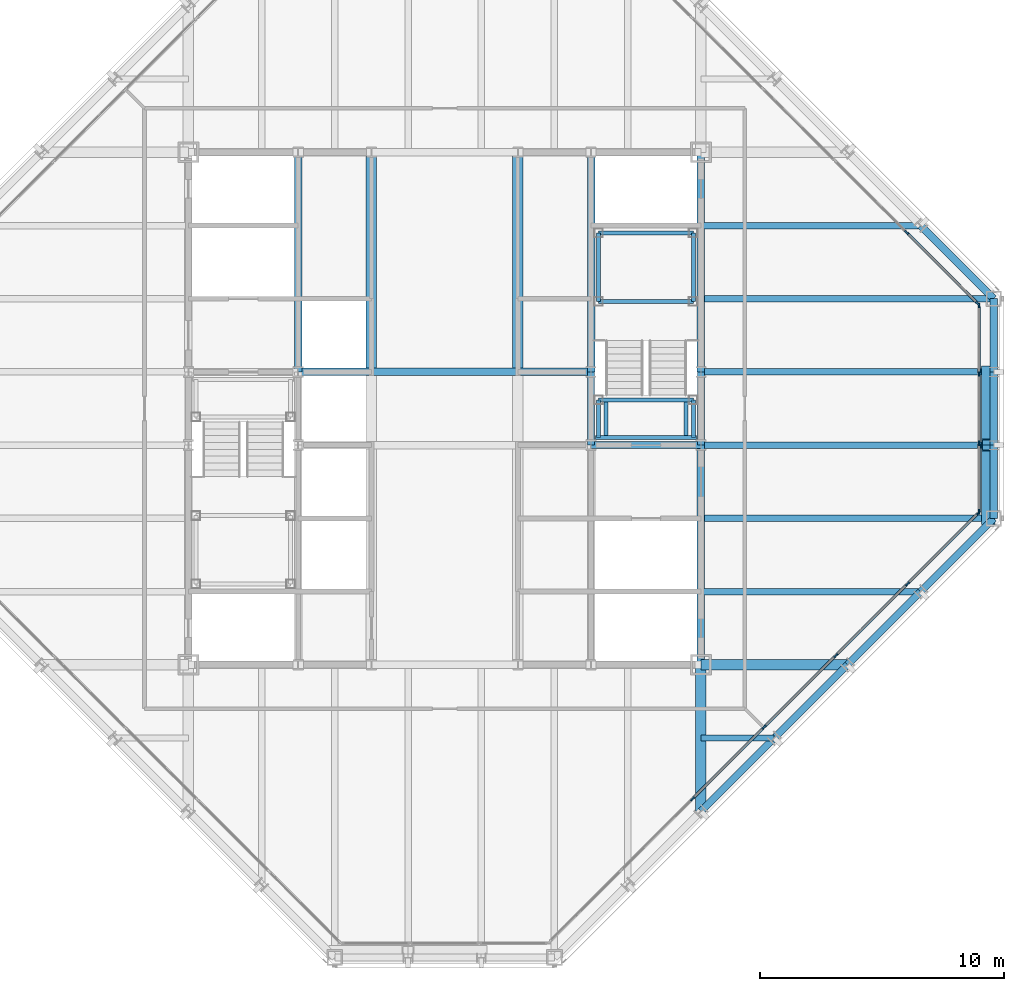
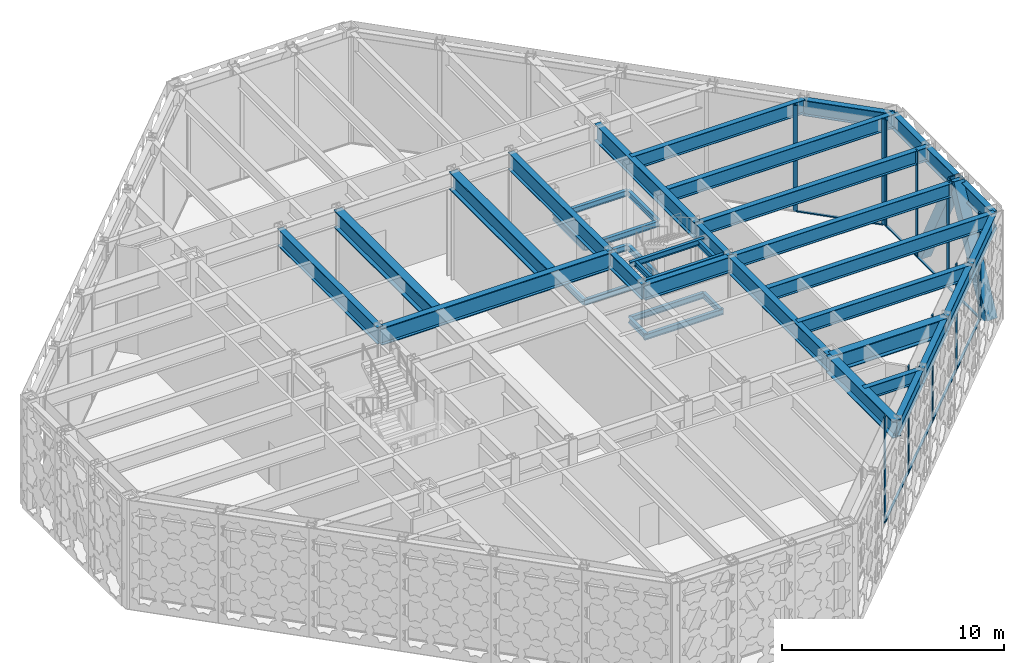
# One storey, part 7 of 28: 43 beams, 21 members, 3 elements without a shape of their own.
"""IFC4 building model written with IfcOpenShell, lengths in metres."""

import ifcopenshell
import ifcopenshell.guid

model = None  # the IFC model being written
_history = None  # IfcOwnerHistory: only IFC2X3 demands one
_inside = {}  # id of a spatial element -> (the spatial element, [elements in it])
_under = {}  # id of a project, library or spatial element -> (it, [spatial elements below it])
_declared = {}  # id of a project -> (the project, [libraries it declares])
_typed = {}  # id of a type object -> (the type object, [elements of that type])
_made_of = {}  # id of a material, layer set ... -> (it, [elements and type objects made of it])


def new_model(schema):
    """Start an empty IFC model of exactly this schema.

    Asked for "IFC4X3", IfcOpenShell would pick the latest addendum, in which some entities
    have other attributes; the version numbers below select the first issue.
    IFC2X3 requires an IfcOwnerHistory on every rooted entity: one is made here for all.
    """
    global model, _history
    if schema == "IFC4X3":
        model = ifcopenshell.file(schema_version=(4, 3, 0, 0))
    else:
        model = ifcopenshell.file(schema=schema)
    _inside.clear()
    _under.clear()
    _declared.clear()
    _typed.clear()
    _made_of.clear()
    _history = None
    if model.schema == "IFC2X3":
        org = make("IfcOrganization", Name="unknown")
        user = make(
            "IfcPersonAndOrganization",
            ThePerson=make("IfcPerson", FamilyName="unknown"),
            TheOrganization=org,
        )
        app = make(
            "IfcApplication",
            ApplicationDeveloper=org,
            Version="unknown",
            ApplicationFullName="unknown",
            ApplicationIdentifier="unknown",
        )
        _history = make(
            "IfcOwnerHistory",
            OwningUser=user,
            OwningApplication=app,
            ChangeAction="ADDED",
            CreationDate=0,
        )
    return model


def make(cls, **values):
    """One entity of the class cls with the attributes given. An attribute that is None is left unset."""
    return model.create_entity(
        cls, **{name: value for name, value in values.items() if value is not None}
    )


def rooted(cls, **values):
    """An entity with a GlobalId (a new one), such as an element, a storey or a relation."""
    return make(cls, GlobalId=ifcopenshell.guid.new(), OwnerHistory=_history, **values)


def si_unit(unit_type, name, prefix=None):
    """IfcSIUnit, for example si_unit("LENGTHUNIT", "METRE", prefix="MILLI")."""
    return make("IfcSIUnit", UnitType=unit_type, Prefix=prefix, Name=name)


def assignment(units):
    """IfcUnitAssignment: the units of a project."""
    return None if units is None else make("IfcUnitAssignment", Units=units)


def point(xyz):
    """IfcCartesianPoint."""
    return None if xyz is None else make("IfcCartesianPoint", Coordinates=xyz)


def direction(xyz):
    """IfcDirection."""
    return None if xyz is None else make("IfcDirection", DirectionRatios=xyz)


def frame(location, z_axis=None, x_axis=None):
    """IfcAxis2Placement3D, a coordinate frame: its origin and axes. An axis left out is left unset."""
    return make(
        "IfcAxis2Placement3D",
        Location=point(location),
        Axis=direction(z_axis),
        RefDirection=direction(x_axis),
    )


def frame_2d(location, x_axis=None):
    """IfcAxis2Placement2D, a coordinate frame in the plane: its origin and x axis."""
    return make(
        "IfcAxis2Placement2D", Location=point(location), RefDirection=direction(x_axis)
    )


def origin():
    """The frame at (0, 0, 0) with its axes left unset."""
    return frame((0.0, 0.0, 0.0))


def origin_2d():
    """The frame at (0, 0) in the plane with its x axis left unset."""
    return frame_2d((0.0, 0.0))


def place(relative_to, where):
    """IfcLocalPlacement: puts the frame where relative to a parent placement (None: the world)."""
    return make(
        "IfcLocalPlacement", PlacementRelTo=relative_to, RelativePlacement=where
    )


def context(
    kind, dimensions, precision=None, world=None, true_north=None, identifier=None
):
    """IfcGeometricRepresentationContext, for example the 3D "Model" context."""
    return make(
        "IfcGeometricRepresentationContext",
        ContextIdentifier=identifier,
        ContextType=kind,
        CoordinateSpaceDimension=dimensions,
        Precision=precision,
        WorldCoordinateSystem=world,
        TrueNorth=true_north,
    )


def subcontext(parent, identifier, kind, view, scale=None):
    """IfcGeometricRepresentationSubContext, for example "Body" below "Model"."""
    return make(
        "IfcGeometricRepresentationSubContext",
        ContextIdentifier=identifier,
        ContextType=kind,
        ParentContext=parent,
        TargetScale=scale,
        TargetView=view,
    )


def project(units=None, contexts=None):
    """IfcProject with its units and contexts."""
    return rooted(
        "IfcProject",
        Name="project",
        RepresentationContexts=contexts,
        UnitsInContext=assignment(units),
    )


def spatial(cls, under=None, at=None, **own):
    """A site, building, storey or space (cls), placed at a placement, below another one or the project."""
    s = rooted(cls, ObjectPlacement=at, **own)
    if under is not None:
        _under.setdefault(under.id(), (under, []))[1].append(s)
    return s


def profile(cls, at=None, kind="AREA", **sizes):
    """A parametric profile (cls). Its sizes go by their IFC names, for example OverallWidth=200.0."""
    return make(cls, ProfileType=kind, Position=at, **sizes)


def rectangle(**sizes):
    """IfcRectangleProfileDef."""
    return profile("IfcRectangleProfileDef", **sizes)


def hollow_rectangle(**sizes):
    """IfcRectangleHollowProfileDef."""
    return profile("IfcRectangleHollowProfileDef", **sizes)


def i_section(**sizes):
    """IfcIShapeProfileDef."""
    return profile("IfcIShapeProfileDef", **sizes)


def extrude(swept, where, along, depth):
    """IfcExtrudedAreaSolid: the profile swept, set in the frame where, extruded along a direction by depth."""
    return make(
        "IfcExtrudedAreaSolid",
        SweptArea=swept,
        Position=where,
        ExtrudedDirection=direction(along),
        Depth=depth,
    )


def shape(context_of_items, identifier, shape_type, items):
    """IfcShapeRepresentation: the items that make up one representation, for example the "Body"."""
    return make(
        "IfcShapeRepresentation",
        ContextOfItems=context_of_items,
        RepresentationIdentifier=identifier,
        RepresentationType=shape_type,
        Items=items,
    )


def material(Name=None, Category=None):
    """IfcMaterial."""
    return make("IfcMaterial", Name=Name, Category=Category)


def layer(
    of_material, thickness, ventilated=None, Name=None, Category=None, Priority=None
):
    """IfcMaterialLayer: one layer of a wall or slab, of a material (None: an air gap)."""
    return make(
        "IfcMaterialLayer",
        Material=of_material,
        LayerThickness=thickness,
        IsVentilated=ventilated,
        Name=Name,
        Category=Category,
        Priority=Priority,
    )


def layer_set(layers, Name=None):
    """IfcMaterialLayerSet."""
    return make("IfcMaterialLayerSet", MaterialLayers=layers, LayerSetName=Name)


def material_profile(
    of_material, cross_section, Name=None, Category=None, Priority=None
):
    """IfcMaterialProfile: a cross section and its material."""
    return make(
        "IfcMaterialProfile",
        Name=Name,
        Material=of_material,
        Profile=cross_section,
        Priority=Priority,
        Category=Category,
    )


def profile_set(profiles, Name=None, composite=None):
    """IfcMaterialProfileSet."""
    return make(
        "IfcMaterialProfileSet",
        Name=Name,
        MaterialProfiles=profiles,
        CompositeProfile=composite,
    )


def made_of(thing, what):
    """Note that an element or type object is made of a material, layer set ...; save() writes the relation."""
    if what is not None:
        _made_of.setdefault(what.id(), (what, []))[1].append(thing)
    return thing


def type_object(cls, material=None, **own):
    """A type object (cls), such as IfcWallType, which elements share."""
    return made_of(rooted(cls, **own), material)


def element(
    cls,
    number,
    at=None,
    inside=None,
    cuts=None,
    type_object=None,
    material=None,
    context=None,
    identifier="Body",
    shape_type=None,
    held_by="IfcProductDefinitionShape",
    body=None,
    shapes=None,
    **own,
):
    """One element of the class cls, such as IfcWall. Its Tag is "e" and its number.

    at: its placement. inside: the storey or other place that contains it. cuts: it is an
    opening in that element (IfcRelVoidsElement). A single representation is given by context,
    identifier, shape_type and body (its items); several are given by shapes. held_by: the class
    of the entity that holds the representations. save() writes the other relations.
    """
    e = rooted(cls, Tag="e%d" % number, ObjectPlacement=at, **own)
    if body is not None:
        shapes = [shape(context, identifier, shape_type, body)]
    if shapes is not None:
        e.Representation = make(held_by, Representations=shapes)
    if inside is not None:
        _inside.setdefault(inside.id(), (inside, []))[1].append(e)
    if cuts is not None:
        rooted(
            "IfcRelVoidsElement", RelatingBuildingElement=cuts, RelatedOpeningElement=e
        )
    if type_object is not None:
        _typed.setdefault(type_object.id(), (type_object, []))[1].append(e)
    return made_of(e, material)


def aggregate(whole, parts):
    """IfcRelAggregates: a whole, such as a stair, and the parts it consists of."""
    return rooted("IfcRelAggregates", RelatingObject=whole, RelatedObjects=parts)


def save(model, path):
    """Write the relations noted so far, then the file.

    IfcRelAggregates (storeys below a building ...), IfcRelContainedInSpatialStructure (elements
    in a storey), IfcRelDefinesByType, IfcRelAssociatesMaterial and IfcRelDeclares: one each for
    every whole, place, type object, material and project.
    """
    for whole, parts in _under.values():
        aggregate(whole, parts)
    for where, things in _inside.values():
        rooted(
            "IfcRelContainedInSpatialStructure",
            RelatedElements=things,
            RelatingStructure=where,
        )
    for kind, things in _typed.values():
        rooted("IfcRelDefinesByType", RelatedObjects=things, RelatingType=kind)
    for what, things in _made_of.values():
        rooted("IfcRelAssociatesMaterial", RelatedObjects=things, RelatingMaterial=what)
    for by, libraries in _declared.values():
        rooted("IfcRelDeclares", RelatingContext=by, RelatedDefinitions=libraries)
    model.write(path)


model = new_model("IFC4")

# Units and contexts
model_context = context("Model", 3, precision=1e-05, world=origin(), true_north=direction((0.0, 1.0)))
body_context = subcontext(model_context, "Body", "Model", "MODEL_VIEW")
ifc_project = project(units=[si_unit("LENGTHUNIT", "METRE"), si_unit("AREAUNIT", "SQUARE_METRE"), si_unit("VOLUMEUNIT", "CUBIC_METRE"), si_unit("PLANEANGLEUNIT", "RADIAN"), si_unit("MASSUNIT", "GRAM", prefix="KILO")], contexts=[model_context])

# Site, building, storey
site_placement = place(None, origin())
site = spatial("IfcSite", under=ifc_project, at=site_placement, CompositionType="ELEMENT")
building_placement = place(site_placement, origin())
building = spatial("IfcBuilding", under=site, at=building_placement, Name="Chuquiago Exchange Tower", CompositionType="ELEMENT")
storey_placement = place(building_placement, frame((0.0, 0.0, 300.0)))
storey = spatial("IfcBuildingStorey", under=building, at=storey_placement, Name="L67", CompositionType="ELEMENT", Elevation=300.0)

# Beams
ifc_material_1 = material(Name="Steel ASTM A992", Category="steel")
ifc_material_profile_1 = material_profile(ifc_material_1, i_section(OverallWidth=0.307373046875, OverallDepth=0.927001953125, WebThickness=0.01953125, FlangeThickness=0.031982421875, at=origin_2d()), Name="W36X194")
ifc_profile_set_1 = profile_set([ifc_material_profile_1], Name="Steel ASTM A992")
beam_type_1 = type_object("IfcBeamType", Name="B10 W36X194", PredefinedType="BEAM", material=ifc_profile_set_1)
for number, where, z_axis, x_axis, name in (
    (1, (16.5, 24.0, 5.37646484375), (0.0, 1.0, 0.0), (-1.0, 0.0, 0.0), "CB-L68-16.5_24-16.5_33"),
    (2, (28.5, 24.0, 5.37646484375), (0.0, 1.0, 0.0), (-1.0, 0.0, 0.0), "CB-L68-28.5_24-28.5_33"),
    (3, (33.0, 12.0, 5.37646484375), (0.0, 1.0, 0.0), (-1.0, 0.0, 0.0), "CB-L68-33_12-33_21"),
    (4, (33.0, 24.0, 5.37646484375), (0.0, 1.0, 0.0), (-1.0, 0.0, 0.0), "CB-L68-33_24-33_33"),
):
    element("IfcBeam", number, at=place(storey_placement, frame(where, z_axis=z_axis, x_axis=x_axis)), inside=storey, type_object=beam_type_1, Name=name, PredefinedType="BEAM", context=body_context, shape_type="SweptSolid", body=[
        extrude(i_section(OverallWidth=0.307373046875, OverallDepth=0.927001953125, WebThickness=0.01953125, FlangeThickness=0.031982421875, at=origin_2d()), origin(), (0.0, 0.0, 1.0), 9.0),
    ])
ifc_material_2 = material(Name="Steel ASTM A992", Category="steel")
ifc_material_profile_2 = material_profile(ifc_material_2, i_section(OverallWidth=0.309814453125, OverallDepth=0.949951171875, WebThickness=0.0244140625, FlangeThickness=0.0439453125, at=origin_2d()), Name="W36X256")
ifc_profile_set_2 = profile_set([ifc_material_profile_2], Name="Steel ASTM A992")
beam_type_2 = type_object("IfcBeamType", Name="B11 W36X256", PredefinedType="BEAM", material=ifc_profile_set_2)
beam_1_placement = place(storey_placement, frame((16.5, 24.0, 5.364990234375), z_axis=(1.0, 0.0, 0.0), x_axis=(0.0, 1.0, 0.0)))
element("IfcBeam", 5, at=beam_1_placement, inside=storey, type_object=beam_type_2, Name="CB-L68-16.5_24-28.5_24", PredefinedType="BEAM", context=body_context, shape_type="SweptSolid", body=[
    extrude(i_section(OverallWidth=0.309814453125, OverallDepth=0.949951171875, WebThickness=0.0244140625, FlangeThickness=0.0439453125, at=origin_2d()), origin(), (0.0, 0.0, 1.0), 12.0),
])
ifc_material_3 = material(Name="Steel ASTM A992", Category="steel")
ifc_material_profile_3 = material_profile(ifc_material_3, i_section(OverallWidth=0.4267578125, OverallDepth=0.975341796875, WebThickness=0.031005859375, FlangeThickness=0.055908203125, at=origin_2d()), Name="W36X395")
ifc_profile_set_3 = profile_set([ifc_material_profile_3], Name="Steel ASTM A992")
beam_type_3 = type_object("IfcBeamType", Name="B12 W36X395", PredefinedType="BEAM", material=ifc_profile_set_3)
for number, where, z_axis, x_axis, name in (
    (6, (19.5, 24.15478515625, 5.352294921875), (0.0, 1.0, 0.0), (-1.0, 0.0, 0.0), "CB-L68-19.5_24.1549-19.5_33"),
    (7, (25.5, 24.15478515625, 5.352294921875), (0.0, 1.0, 0.0), (-1.0, 0.0, 0.0), "CB-L68-25.5_24.1549-25.5_33"),
):
    element("IfcBeam", number, at=place(storey_placement, frame(where, z_axis=z_axis, x_axis=x_axis)), inside=storey, type_object=beam_type_3, Name=name, PredefinedType="BEAM", context=body_context, shape_type="SweptSolid", body=[
        extrude(i_section(OverallWidth=0.4267578125, OverallDepth=0.975341796875, WebThickness=0.031005859375, FlangeThickness=0.055908203125, at=origin_2d()), origin(), (0.0, 0.0, 1.0), 8.84521484375),
    ])
ifc_material_4 = material(Name="Steel ASTM A992", Category="steel")
ifc_material_profile_4 = material_profile(ifc_material_4, i_section(OverallWidth=0.2919921875, OverallDepth=0.8583984375, WebThickness=0.01708984375, FlangeThickness=0.031005859375, at=origin_2d()), Name="W33X169")
ifc_profile_set_4 = profile_set([ifc_material_profile_4], Name="Steel ASTM A992")
beam_type_4 = type_object("IfcBeamType", Name="B3 W33X169", PredefinedType="BEAM", material=ifc_profile_set_4)
for number, where, z_axis, x_axis, name in (
    (8, (28.5, 21.0, 5.41064453125), (0.0, 1.0, 0.0), (-1.0, 0.0, 0.0), "CB-L68-28.5_21-28.5_24"),
    (9, (33.0, 21.0, 5.41064453125), (0.0, 1.0, 0.0), (-1.0, 0.0, 0.0), "CB-L68-33_21-33_24"),
):
    element("IfcBeam", number, at=place(storey_placement, frame(where, z_axis=z_axis, x_axis=x_axis)), inside=storey, type_object=beam_type_4, Name=name, PredefinedType="BEAM", context=body_context, shape_type="SweptSolid", body=[
        extrude(i_section(OverallWidth=0.2919921875, OverallDepth=0.8583984375, WebThickness=0.01708984375, FlangeThickness=0.031005859375, at=origin_2d()), origin(), (0.0, 0.0, 1.0), 3.0),
    ])
beam_2_placement = place(storey_placement, frame((28.5, 21.0, 5.41064453125), z_axis=(1.0, 0.0, 0.0), x_axis=(0.0, 1.0, 0.0)))
element("IfcBeam", 10, at=beam_2_placement, inside=storey, type_object=beam_type_4, Name="CB-L68-28.5_21-33_21", PredefinedType="BEAM", context=body_context, shape_type="SweptSolid", body=[
    extrude(i_section(OverallWidth=0.2919921875, OverallDepth=0.8583984375, WebThickness=0.01708984375, FlangeThickness=0.031005859375, at=origin_2d()), origin(), (0.0, 0.0, 1.0), 4.5),
])
ifc_material_5 = material(Name="Steel ASTM A992", Category="steel")
ifc_material_profile_5 = material_profile(ifc_material_5, i_section(OverallWidth=0.2666015625, OverallDepth=0.761962890625, WebThickness=0.014404296875, FlangeThickness=0.021484375, at=origin_2d()), Name="W30X116")
ifc_profile_set_5 = profile_set([ifc_material_profile_5], Name="Steel ASTM A992")
beam_type_5 = type_object("IfcBeamType", Name="B8 W30X116", PredefinedType="BEAM", material=ifc_profile_set_5)
beam_3_placement = place(storey_placement, frame((33.0, 15.0, 5.458984375), z_axis=(1.0, 0.0, 0.0), x_axis=(0.0, 1.0, 0.0)))
element("IfcBeam", 11, at=beam_3_placement, inside=storey, type_object=beam_type_5, Name="FB-L68-infill-33_15-42_15-0", PredefinedType="BEAM", context=body_context, shape_type="SweptSolid", body=[
    extrude(i_section(OverallWidth=0.2666015625, OverallDepth=0.761962890625, WebThickness=0.014404296875, FlangeThickness=0.021484375, at=origin_2d()), origin(), (0.0, 0.0, 1.0), 9.0),
])
for number, where, z_axis, x_axis, name in (
    (12, (33.0, 18.0, 5.458984375), (1.0, 0.0, 0.0), (0.0, 1.0, 0.0), "FB-L68-infill-33_18-45_18-0"),
    (13, (33.0, 21.0, 5.458984375), (1.0, 0.0, 0.0), (0.0, 1.0, 0.0), "FB-L68-infill-33_21-45_21-0"),
    (14, (33.0, 24.0, 5.458984375), (1.0, 0.0, 0.0), (0.0, 1.0, 0.0), "FB-L68-infill-33_24-45_24-0"),
    (15, (33.0, 27.0, 5.458984375), (1.0, 0.0, 0.0), (0.0, 1.0, 0.0), "FB-L68-infill-33_27-45_27-0"),
):
    element("IfcBeam", number, at=place(storey_placement, frame(where, z_axis=z_axis, x_axis=x_axis)), inside=storey, type_object=beam_type_5, Name=name, PredefinedType="BEAM", context=body_context, shape_type="SweptSolid", body=[
        extrude(i_section(OverallWidth=0.2666015625, OverallDepth=0.761962890625, WebThickness=0.014404296875, FlangeThickness=0.021484375, at=origin_2d()), origin(), (0.0, 0.0, 1.0), 12.0),
    ])
beam_4_placement = place(storey_placement, frame((33.0, 30.0, 5.458984375), z_axis=(1.0, 0.0, 0.0), x_axis=(0.0, 1.0, 0.0)))
element("IfcBeam", 16, at=beam_4_placement, inside=storey, type_object=beam_type_5, Name="FB-L68-infill-33_30-42_30-0", PredefinedType="BEAM", context=body_context, shape_type="SweptSolid", body=[
    extrude(i_section(OverallWidth=0.2666015625, OverallDepth=0.761962890625, WebThickness=0.014404296875, FlangeThickness=0.021484375, at=origin_2d()), origin(), (0.0, 0.0, 1.0), 9.0),
])
ifc_material_6 = material(Name="Steel ASTM A992", Category="steel")
ifc_material_profile_6 = material_profile(ifc_material_6, i_section(OverallWidth=0.256591796875, OverallDepth=0.693359375, WebThickness=0.014404296875, FlangeThickness=0.023681640625, at=origin_2d()), Name="W27X114")
ifc_profile_set_6 = profile_set([ifc_material_profile_6], Name="Steel ASTM A992")
beam_type_6 = type_object("IfcBeamType", Name="B9 W27X114", PredefinedType="BEAM", material=ifc_profile_set_6)
beam_5_placement = place(storey_placement, frame((33.0, 9.0, 5.493408203125), z_axis=(1.0, 0.0, 0.0), x_axis=(0.0, 1.0, 0.0)))
element("IfcBeam", 17, at=beam_5_placement, inside=storey, type_object=beam_type_6, Name="FB-L68-corner-33_9-36_9-0", PredefinedType="BEAM", context=body_context, shape_type="SweptSolid", body=[
    extrude(i_section(OverallWidth=0.256591796875, OverallDepth=0.693359375, WebThickness=0.014404296875, FlangeThickness=0.023681640625, at=origin_2d()), origin(), (0.0, 0.0, 1.0), 3.0),
])

# Curtain wall, members
ifc_material_7 = material(Name="Aluminium curtain wall system", Category="aluminium")
ifc_layer = layer(ifc_material_7, 0.199951171875)
ifc_layer_set = layer_set([ifc_layer], Name="CW5 lantern curtain wall")
curtain_wall_type = type_object("IfcCurtainWallType", Name="CW5 lantern curtain wall", PredefinedType="NOTDEFINED", material=ifc_layer_set)
curtain_wall_1_placement = place(storey_placement, origin())
curtain_wall_1 = element("IfcCurtainWall", 18, at=curtain_wall_1_placement, inside=storey, type_object=curtain_wall_type, Name="CW5 curtain wall L67", PredefinedType="NOTDEFINED")
ifc_material_8 = material(Name="Aluminium mullion, pale anodised", Category="aluminium")
ifc_material_profile_7 = material_profile(ifc_material_8, rectangle(XDim=0.06005859375, YDim=0.199951171875, at=origin_2d()), Name="AL 60x200")
ifc_profile_set_7 = profile_set([ifc_material_profile_7], Name="Aluminium mullion, pale anodised")
member_type_1 = type_object("IfcMemberType", Name="CW5-M mullion 60x200", PredefinedType="MULLION", material=ifc_profile_set_7)
member_1_placement = place(storey_placement, frame((32.657958984375, 6.50634765625, 0.0), z_axis=(0.0, 0.0, 1.0), x_axis=(-0.707104773852, 0.707108788515, 0.0)))
member_1 = element("IfcMember", 19, at=member_1_placement, type_object=member_type_1, Name="CW5 mullion 3", PredefinedType="MULLION", context=body_context, shape_type="SweptSolid", body=[
    extrude(rectangle(XDim=0.06005859375, YDim=0.199951171875, at=origin_2d()), origin(), (0.0, 0.0, 1.0), 5.840087890625),
])
member_2_placement = place(storey_placement, frame((35.593505859375, 9.44189453125, 0.0), z_axis=(0.0, 0.0, 1.0), x_axis=(-0.707104773852, 0.707108788515, 0.0)))
member_2 = element("IfcMember", 20, at=member_2_placement, type_object=member_type_1, Name="CW5 mullion 4", PredefinedType="MULLION", context=body_context, shape_type="SweptSolid", body=[
    extrude(rectangle(XDim=0.06005859375, YDim=0.199951171875, at=origin_2d()), origin(), (0.0, 0.0, 1.0), 5.840087890625),
])
member_3_placement = place(storey_placement, frame((38.529052734375, 12.37744140625, 0.0), z_axis=(0.0, 0.0, 1.0), x_axis=(-0.707104773852, 0.707108788515, 0.0)))
member_3 = element("IfcMember", 21, at=member_3_placement, type_object=member_type_1, Name="CW5 mullion 5", PredefinedType="MULLION", context=body_context, shape_type="SweptSolid", body=[
    extrude(rectangle(XDim=0.06005859375, YDim=0.199951171875, at=origin_2d()), origin(), (0.0, 0.0, 1.0), 5.840087890625),
])
member_4_placement = place(storey_placement, frame((41.46435546875, 15.31298828125, 0.0), z_axis=(0.0, 0.0, 1.0), x_axis=(-0.707104773852, 0.707108788515, 0.0)))
member_4 = element("IfcMember", 22, at=member_4_placement, type_object=member_type_1, Name="CW5 mullion 6", PredefinedType="MULLION", context=body_context, shape_type="SweptSolid", body=[
    extrude(rectangle(XDim=0.06005859375, YDim=0.199951171875, at=origin_2d()), origin(), (0.0, 0.0, 1.0), 5.840087890625),
])
member_5_placement = place(storey_placement, frame((44.37890625, 18.227294921875, 0.0), z_axis=(0.0, 0.0, 1.0), x_axis=(-0.707104773852, 0.707108788515, 0.0)))
member_5 = element("IfcMember", 23, at=member_5_placement, type_object=member_type_1, Name="CW5 mullion 7", PredefinedType="MULLION", context=body_context, shape_type="SweptSolid", body=[
    extrude(rectangle(XDim=0.06005859375, YDim=0.199951171875, at=origin_2d()), origin(), (0.0, 0.0, 1.0), 5.840087890625),
])

curtain_wall_2_placement = place(storey_placement, origin())
curtain_wall_2 = element("IfcCurtainWall", 24, at=curtain_wall_2_placement, inside=storey, type_object=curtain_wall_type, Name="CW5 curtain wall L67", PredefinedType="NOTDEFINED")
member_6_placement = place(storey_placement, frame((44.39990234375, 18.278564453125, 0.0), z_axis=(0.0, 0.0, 1.0), x_axis=(-1.0, 0.0, 0.0)))
member_6 = element("IfcMember", 25, at=member_6_placement, type_object=member_type_1, Name="CW5 mullion 1", PredefinedType="MULLION", context=body_context, shape_type="SweptSolid", body=[
    extrude(rectangle(XDim=0.06005859375, YDim=0.199951171875, at=origin_2d()), origin(), (0.0, 0.0, 1.0), 5.840087890625),
])
member_7_placement = place(storey_placement, frame((44.39990234375, 21.082763671875, 0.0), z_axis=(0.0, 0.0, 1.0), x_axis=(-1.0, 0.0, 0.0)))
member_7 = element("IfcMember", 26, at=member_7_placement, type_object=member_type_1, Name="CW5 mullion 2", PredefinedType="MULLION", context=body_context, shape_type="SweptSolid", body=[
    extrude(rectangle(XDim=0.06005859375, YDim=0.199951171875, at=origin_2d()), origin(), (0.0, 0.0, 1.0), 5.840087890625),
])
member_8_placement = place(storey_placement, frame((44.39990234375, 23.917236328125, 0.0), z_axis=(0.0, 0.0, 1.0), x_axis=(-1.0, 0.0, 0.0)))
member_8 = element("IfcMember", 27, at=member_8_placement, type_object=member_type_1, Name="CW5 mullion 3", PredefinedType="MULLION", context=body_context, shape_type="SweptSolid", body=[
    extrude(rectangle(XDim=0.06005859375, YDim=0.199951171875, at=origin_2d()), origin(), (0.0, 0.0, 1.0), 5.840087890625),
])
member_9_placement = place(storey_placement, frame((44.39990234375, 26.721435546875, 0.0), z_axis=(0.0, 0.0, 1.0), x_axis=(-1.0, 0.0, 0.0)))
member_9 = element("IfcMember", 28, at=member_9_placement, type_object=member_type_1, Name="CW5 mullion 4", PredefinedType="MULLION", context=body_context, shape_type="SweptSolid", body=[
    extrude(rectangle(XDim=0.06005859375, YDim=0.199951171875, at=origin_2d()), origin(), (0.0, 0.0, 1.0), 5.840087890625),
])

curtain_wall_3_placement = place(storey_placement, origin())
curtain_wall_3 = element("IfcCurtainWall", 29, at=curtain_wall_3_placement, inside=storey, type_object=curtain_wall_type, Name="CW5 curtain wall L67", PredefinedType="NOTDEFINED")
member_10_placement = place(storey_placement, frame((44.343505859375, 26.80810546875, 0.0), z_axis=(0.0, 0.0, 1.0), x_axis=(-0.707108788515, -0.707104773852, 0.0)))
member_10 = element("IfcMember", 30, at=member_10_placement, type_object=member_type_1, Name="CW5 mullion 1", PredefinedType="MULLION", context=body_context, shape_type="SweptSolid", body=[
    extrude(rectangle(XDim=0.06005859375, YDim=0.199951171875, at=origin_2d()), origin(), (0.0, 0.0, 1.0), 5.840087890625),
])
member_11_placement = place(storey_placement, frame((41.42919921875, 29.722412109375, 0.0), z_axis=(0.0, 0.0, 1.0), x_axis=(-0.707108788515, -0.707104773852, 0.0)))
member_11 = element("IfcMember", 31, at=member_11_placement, type_object=member_type_1, Name="CW5 mullion 2", PredefinedType="MULLION", context=body_context, shape_type="SweptSolid", body=[
    extrude(rectangle(XDim=0.06005859375, YDim=0.199951171875, at=origin_2d()), origin(), (0.0, 0.0, 1.0), 5.840087890625),
])

# Member
ifc_material_9 = material(Name="Aluminium transom, pale anodised", Category="aluminium")
ifc_material_profile_8 = material_profile(ifc_material_9, rectangle(XDim=0.1201171875, YDim=0.06005859375, at=origin_2d()), Name="AL 120x60")
ifc_profile_set_8 = profile_set([ifc_material_profile_8], Name="Aluminium transom, pale anodised")
member_type_2 = type_object("IfcMemberType", Name="CW5-T transom 60x120", PredefinedType="MULLION", material=ifc_profile_set_8)
member_12_placement = place(storey_placement, frame((32.67919921875, 6.527587890625, 0.030029296875), z_axis=(0.707106781187, 0.707106781187, 0.0), x_axis=(-0.707106781187, 0.707106781187, 0.0)))
member_12 = element("IfcMember", 32, at=member_12_placement, type_object=member_type_2, Name="CW5 transom 3.1", PredefinedType="MULLION", context=body_context, shape_type="SweptSolid", body=[
    extrude(rectangle(XDim=0.1201171875, YDim=0.06005859375, at=origin_2d()), origin(), (0.0, 0.0, 1.0), 4.09130859375),
])

member_13_placement = place(storey_placement, frame((35.614501953125, 9.463134765625, 0.030029296875), z_axis=(0.707136615027, 0.707076946087, 0.0), x_axis=(-0.707076946087, 0.707136615027, 0.0)))
member_13 = element("IfcMember", 33, at=member_13_placement, type_object=member_type_2, Name="CW5 transom 4.1", PredefinedType="MULLION", context=body_context, shape_type="SweptSolid", body=[
    extrude(rectangle(XDim=0.1201171875, YDim=0.06005859375, at=origin_2d()), origin(), (0.0, 0.0, 1.0), 4.091552734375),
])

member_14_placement = place(storey_placement, frame((38.550048828125, 12.398681640625, 0.030029296875), z_axis=(0.707136615027, 0.707076946087, 0.0), x_axis=(-0.707076946087, 0.707136615027, 0.0)))
member_14 = element("IfcMember", 34, at=member_14_placement, type_object=member_type_2, Name="CW5 transom 5.1", PredefinedType="MULLION", context=body_context, shape_type="SweptSolid", body=[
    extrude(rectangle(XDim=0.1201171875, YDim=0.06005859375, at=origin_2d()), origin(), (0.0, 0.0, 1.0), 4.091552734375),
])

member_15_placement = place(storey_placement, frame((41.485595703125, 15.334228515625, 0.030029296875), z_axis=(0.707136835667, 0.707076725429, 0.0), x_axis=(-0.707076725429, 0.707136835667, 0.0)))
member_15 = element("IfcMember", 35, at=member_15_placement, type_object=member_type_2, Name="CW5 transom 6.1", PredefinedType="MULLION", context=body_context, shape_type="SweptSolid", body=[
    extrude(rectangle(XDim=0.1201171875, YDim=0.06005859375, at=origin_2d()), origin(), (0.0, 0.0, 1.0), 4.0615234375),
])

aggregate(curtain_wall_1, [member_1, member_2, member_3, member_4, member_5, member_12, member_13, member_14, member_15])

member_16_placement = place(storey_placement, frame((44.39990234375, 18.30859375, 0.030029296875), z_axis=(0.0, 1.0, 0.0), x_axis=(-1.0, 0.0, 0.0)))
member_16 = element("IfcMember", 36, at=member_16_placement, type_object=member_type_2, Name="CW5 transom 1.1", PredefinedType="MULLION", context=body_context, shape_type="SweptSolid", body=[
    extrude(rectangle(XDim=0.1201171875, YDim=0.06005859375, at=origin_2d()), origin(), (0.0, 0.0, 1.0), 2.744140625),
])

member_17_placement = place(storey_placement, frame((44.39990234375, 21.11279296875, 0.030029296875), z_axis=(0.0, 1.0, 0.0), x_axis=(-1.0, 0.0, 0.0)))
member_17 = element("IfcMember", 37, at=member_17_placement, type_object=member_type_2, Name="CW5 transom 2.1", PredefinedType="MULLION", context=body_context, shape_type="SweptSolid", body=[
    extrude(rectangle(XDim=0.1201171875, YDim=0.06005859375, at=origin_2d()), origin(), (0.0, 0.0, 1.0), 2.7744140625),
])

member_18_placement = place(storey_placement, frame((44.39990234375, 23.947265625, 0.030029296875), z_axis=(0.0, 1.0, 0.0), x_axis=(-1.0, 0.0, 0.0)))
member_18 = element("IfcMember", 38, at=member_18_placement, type_object=member_type_2, Name="CW5 transom 3.1", PredefinedType="MULLION", context=body_context, shape_type="SweptSolid", body=[
    extrude(rectangle(XDim=0.1201171875, YDim=0.06005859375, at=origin_2d()), origin(), (0.0, 0.0, 1.0), 2.744140625),
])

aggregate(curtain_wall_2, [member_6, member_7, member_8, member_9, member_16, member_17, member_18])

member_19_placement = place(storey_placement, frame((44.322265625, 26.829345703125, 0.030029296875), z_axis=(-0.707136835667, 0.707076725429, 0.0), x_axis=(-0.707076725429, -0.707136835667, 0.0)))
member_19 = element("IfcMember", 39, at=member_19_placement, type_object=member_type_2, Name="CW5 transom 1.1", PredefinedType="MULLION", context=body_context, shape_type="SweptSolid", body=[
    extrude(rectangle(XDim=0.1201171875, YDim=0.06005859375, at=origin_2d()), origin(), (0.0, 0.0, 1.0), 4.0615234375),
])

aggregate(curtain_wall_3, [member_10, member_11, member_19])

# Beams
ifc_material_10 = material(Name="Steel ASTM A992", Category="steel")
ifc_material_profile_9 = material_profile(ifc_material_10, i_section(OverallWidth=0.424072265625, OverallDepth=0.947509765625, WebThickness=0.02392578125, FlangeThickness=0.042724609375, at=origin_2d()), Name="W36X302")
ifc_profile_set_9 = profile_set([ifc_material_profile_9], Name="Steel ASTM A992")
beam_type_7 = type_object("IfcBeamType", Name="G4 W36X302", PredefinedType="BEAM", material=ifc_profile_set_9)
for number, where, z_axis, x_axis, name in (
    (40, (33.0, 12.0, 5.3662109375), (0.0, -1.0, 0.0), (1.0, 0.0, 0.0), "FB-L68-girder-33_12-33_6-0"),
    (41, (33.0, 12.0, 5.3662109375), (1.0, 0.0, 0.0), (0.0, 1.0, 0.0), "FB-L68-girder-33_12-39_12-0"),
):
    element("IfcBeam", number, at=place(storey_placement, frame(where, z_axis=z_axis, x_axis=x_axis)), inside=storey, type_object=beam_type_7, Name=name, PredefinedType="BEAM", context=body_context, shape_type="SweptSolid", body=[
        extrude(i_section(OverallWidth=0.424072265625, OverallDepth=0.947509765625, WebThickness=0.02392578125, FlangeThickness=0.042724609375, at=origin_2d()), origin(), (0.0, 0.0, 1.0), 6.0),
    ])
ifc_material_11 = material(Name="Steel ASTM A992", Category="steel")
ifc_material_profile_10 = material_profile(ifc_material_11, i_section(OverallWidth=0.164794921875, OverallDepth=0.309814453125, WebThickness=0.005859375, FlangeThickness=0.009765625, at=origin_2d()), Name="W12X26")
ifc_profile_set_10 = profile_set([ifc_material_profile_10], Name="Steel ASTM A992")
beam_type_8 = type_object("IfcBeamType", Name="LS1 W12X26", PredefinedType="BEAM", material=ifc_profile_set_10)
for number, where, z_axis, x_axis, name in (
    (42, (28.81005859375, 26.889892578125, 1.14501953125), (0.0, 1.0, 0.0), (-1.0, 0.0, 0.0), "Stair ST2 L67 landing 1 stringer"),
    (43, (32.68994140625, 26.889892578125, 1.14501953125), (0.0, 1.0, 0.0), (-1.0, 0.0, 0.0), "Stair ST2 L67 landing 1 stringer"),
):
    element("IfcBeam", number, at=place(storey_placement, frame(where, z_axis=z_axis, x_axis=x_axis)), inside=storey, type_object=beam_type_8, Name=name, PredefinedType="BEAM", context=body_context, shape_type="SweptSolid", body=[
        extrude(i_section(OverallWidth=0.164794921875, OverallDepth=0.309814453125, WebThickness=0.005859375, FlangeThickness=0.009765625, at=origin_2d()), origin(), (0.0, 0.0, 1.0), 2.800048828125),
    ])
for number, where, z_axis, x_axis, name in (
    (44, (28.81005859375, 21.31005859375, 2.64501953125), (0.0, 1.0, 0.0), (-1.0, 0.0, 0.0), "Stair ST2 L67 landing 2 stringer"),
    (45, (32.68994140625, 21.31005859375, 2.64501953125), (0.0, 1.0, 0.0), (-1.0, 0.0, 0.0), "Stair ST2 L67 landing 2 stringer"),
):
    element("IfcBeam", number, at=place(storey_placement, frame(where, z_axis=z_axis, x_axis=x_axis)), inside=storey, type_object=beam_type_8, Name=name, PredefinedType="BEAM", context=body_context, shape_type="SweptSolid", body=[
        extrude(i_section(OverallWidth=0.164794921875, OverallDepth=0.309814453125, WebThickness=0.005859375, FlangeThickness=0.009765625, at=origin_2d()), origin(), (0.0, 0.0, 1.0), 1.5400390625),
    ])
for number, where, z_axis, x_axis, name in (
    (46, (28.81005859375, 26.889892578125, 4.14501953125), (0.0, 1.0, 0.0), (-1.0, 0.0, 0.0), "Stair ST2 L67 landing 3 stringer"),
    (47, (32.68994140625, 26.889892578125, 4.14501953125), (0.0, 1.0, 0.0), (-1.0, 0.0, 0.0), "Stair ST2 L67 landing 3 stringer"),
):
    element("IfcBeam", number, at=place(storey_placement, frame(where, z_axis=z_axis, x_axis=x_axis)), inside=storey, type_object=beam_type_8, Name=name, PredefinedType="BEAM", context=body_context, shape_type="SweptSolid", body=[
        extrude(i_section(OverallWidth=0.164794921875, OverallDepth=0.309814453125, WebThickness=0.005859375, FlangeThickness=0.009765625, at=origin_2d()), origin(), (0.0, 0.0, 1.0), 2.800048828125),
    ])
for number, where, z_axis, x_axis, name in (
    (48, (29.114990234375, 21.392333984375, 5.64501953125), (0.0, 1.0, 0.0), (-1.0, 0.0, 0.0), "Stair ST2 top landing stringer"),
    (49, (32.385009765625, 21.392333984375, 5.64501953125), (0.0, 1.0, 0.0), (-1.0, 0.0, 0.0), "Stair ST2 top landing stringer"),
):
    element("IfcBeam", number, at=place(storey_placement, frame(where, z_axis=z_axis, x_axis=x_axis)), inside=storey, type_object=beam_type_8, Name=name, PredefinedType="BEAM", context=body_context, shape_type="SweptSolid", body=[
        extrude(i_section(OverallWidth=0.164794921875, OverallDepth=0.309814453125, WebThickness=0.005859375, FlangeThickness=0.009765625, at=origin_2d()), origin(), (0.0, 0.0, 1.0), 1.375244140625),
    ])
ifc_material_12 = material(Name="Steel ASTM A992", Category="steel")
ifc_material_profile_11 = material_profile(ifc_material_12, i_section(OverallWidth=0.164794921875, OverallDepth=0.309814453125, WebThickness=0.005859375, FlangeThickness=0.009765625, at=origin_2d()), Name="W12X26")
ifc_profile_set_11 = profile_set([ifc_material_profile_11], Name="Steel ASTM A992")
beam_type_9 = type_object("IfcBeamType", Name="LT1 W12X26", PredefinedType="BEAM", material=ifc_profile_set_11)
for number, where, z_axis, x_axis, name in (
    (50, (28.81005859375, 29.68994140625, 1.14501953125), (1.0, 0.0, 0.0), (0.0, 1.0, 0.0), "Stair ST2 L67 landing 1 trimmer"),
    (51, (28.81005859375, 26.889892578125, 1.14501953125), (1.0, 0.0, 0.0), (0.0, 1.0, 0.0), "Stair ST2 L67 landing 1 trimmer"),
    (52, (28.81005859375, 22.85009765625, 2.64501953125), (1.0, 0.0, 0.0), (0.0, 1.0, 0.0), "Stair ST2 L67 landing 2 trimmer"),
):
    element("IfcBeam", number, at=place(storey_placement, frame(where, z_axis=z_axis, x_axis=x_axis)), inside=storey, type_object=beam_type_9, Name=name, PredefinedType="BEAM", context=body_context, shape_type="SweptSolid", body=[
        extrude(i_section(OverallWidth=0.164794921875, OverallDepth=0.309814453125, WebThickness=0.005859375, FlangeThickness=0.009765625, at=origin_2d()), origin(), (0.0, 0.0, 1.0), 3.8798828125),
    ])
beam_6_placement = place(storey_placement, frame((28.688232421875, 21.31005859375, 2.64501953125), z_axis=(1.0, 0.0, 0.0), x_axis=(0.0, 1.0, 0.0)))
element("IfcBeam", 53, at=beam_6_placement, inside=storey, type_object=beam_type_9, Name="Stair ST2 L67 landing 2 trimmer", PredefinedType="BEAM", context=body_context, shape_type="SweptSolid", body=[
    extrude(i_section(OverallWidth=0.164794921875, OverallDepth=0.309814453125, WebThickness=0.005859375, FlangeThickness=0.009765625, at=origin_2d()), origin(), (0.0, 0.0, 1.0), 4.12353515625),
])
for number, where, z_axis, x_axis, name in (
    (54, (28.81005859375, 29.68994140625, 4.14501953125), (1.0, 0.0, 0.0), (0.0, 1.0, 0.0), "Stair ST2 L67 landing 3 trimmer"),
    (55, (28.81005859375, 26.889892578125, 4.14501953125), (1.0, 0.0, 0.0), (0.0, 1.0, 0.0), "Stair ST2 L67 landing 3 trimmer"),
    (56, (28.81005859375, 22.85009765625, 5.64501953125), (1.0, 0.0, 0.0), (0.0, 1.0, 0.0), "Stair ST2 top landing trimmer"),
):
    element("IfcBeam", number, at=place(storey_placement, frame(where, z_axis=z_axis, x_axis=x_axis)), inside=storey, type_object=beam_type_9, Name=name, PredefinedType="BEAM", context=body_context, shape_type="SweptSolid", body=[
        extrude(i_section(OverallWidth=0.164794921875, OverallDepth=0.309814453125, WebThickness=0.005859375, FlangeThickness=0.009765625, at=origin_2d()), origin(), (0.0, 0.0, 1.0), 3.8798828125),
    ])
beam_7_placement = place(storey_placement, frame((28.688232421875, 21.31005859375, 5.64501953125), z_axis=(1.0, 0.0, 0.0), x_axis=(0.0, 1.0, 0.0)))
element("IfcBeam", 57, at=beam_7_placement, inside=storey, type_object=beam_type_9, Name="Stair ST2 top landing trimmer", PredefinedType="BEAM", context=body_context, shape_type="SweptSolid", body=[
    extrude(i_section(OverallWidth=0.164794921875, OverallDepth=0.309814453125, WebThickness=0.005859375, FlangeThickness=0.009765625, at=origin_2d()), origin(), (0.0, 0.0, 1.0), 4.12353515625),
])

# Members
ifc_material_13 = material(Name="Steel ASTM A572 Grade 50", Category="steel")
ifc_material_profile_12 = material_profile(ifc_material_13, hollow_rectangle(XDim=0.550048828125, YDim=0.550048828125, WallThickness=0.044921875, at=origin_2d()), Name="BOX550X550X45")
ifc_profile_set_12 = profile_set([ifc_material_profile_12], Name="Steel ASTM A572 Grade 50")
member_type_3 = type_object("IfcMemberType", Name="MB4 BOX550X550X45", PredefinedType="BRACE", material=ifc_profile_set_12)
for number, where, z_axis, x_axis, name in (
    (58, (44.77001953125, 18.0, 0.0), (0.0, 0.456929540486, 0.889502892087), (-1.0, 0.0, 0.0), "Mega diagonal L67 E face"),
    (59, (44.77001953125, 24.0, 0.0), (0.0, -0.456929540486, 0.889502892087), (1.0, 0.0, 0.0), "Mega diagonal L67 E face"),
):
    element("IfcMember", number, at=place(storey_placement, frame(where, z_axis=z_axis, x_axis=x_axis)), inside=storey, type_object=member_type_3, Name=name, PredefinedType="BRACE", context=body_context, shape_type="SweptSolid", body=[
        extrude(hollow_rectangle(XDim=0.550048828125, YDim=0.550048828125, WallThickness=0.044921875, at=origin_2d()), origin(), (0.0, 0.0, 1.0), 6.565673828125),
    ])

# Beams
ifc_material_14 = material(Name="Steel ASTM A992", Category="steel")
ifc_material_profile_13 = material_profile(ifc_material_14, i_section(OverallWidth=0.2919921875, OverallDepth=0.8583984375, WebThickness=0.01708984375, FlangeThickness=0.031005859375, at=origin_2d()), Name="W33X169")
ifc_profile_set_13 = profile_set([ifc_material_profile_13], Name="Steel ASTM A992")
beam_type_10 = type_object("IfcBeamType", Name="SP4 W33X169", PredefinedType="SPANDREL", material=ifc_profile_set_13)
for number, where, z_axis, x_axis, name in (
    (60, (33.0, 6.0, 5.41064453125), (0.707106781187, 0.707106781187, 0.0), (-0.707106781187, 0.707106781187, 0.0), "SPB-L68-33_6-36_9"),
    (61, (36.0, 9.0, 5.41064453125), (0.707106781187, 0.707106781187, 0.0), (-0.707106781187, 0.707106781187, 0.0), "SPB-L68-36_9-39_12"),
    (62, (39.0, 12.0, 5.41064453125), (0.707106781187, 0.707106781187, 0.0), (-0.707106781187, 0.707106781187, 0.0), "SPB-L68-39_12-42_15"),
    (63, (42.0, 15.0, 5.41064453125), (0.707106781187, 0.707106781187, 0.0), (-0.707106781187, 0.707106781187, 0.0), "SPB-L68-42_15-45_18"),
):
    element("IfcBeam", number, at=place(storey_placement, frame(where, z_axis=z_axis, x_axis=x_axis)), inside=storey, type_object=beam_type_10, Name=name, PredefinedType="SPANDREL", context=body_context, shape_type="SweptSolid", body=[
        extrude(i_section(OverallWidth=0.2919921875, OverallDepth=0.8583984375, WebThickness=0.01708984375, FlangeThickness=0.031005859375, at=origin_2d()), origin(), (0.0, 0.0, 1.0), 4.24267578125),
    ])
for number, where, z_axis, x_axis, name in (
    (64, (45.0, 18.0, 5.41064453125), (0.0, 1.0, 0.0), (-1.0, 0.0, 0.0), "SPB-L68-45_18-45_21"),
    (65, (45.0, 21.0, 5.41064453125), (0.0, 1.0, 0.0), (-1.0, 0.0, 0.0), "SPB-L68-45_21-45_24"),
    (66, (45.0, 24.0, 5.41064453125), (0.0, 1.0, 0.0), (-1.0, 0.0, 0.0), "SPB-L68-45_24-45_27"),
):
    element("IfcBeam", number, at=place(storey_placement, frame(where, z_axis=z_axis, x_axis=x_axis)), inside=storey, type_object=beam_type_10, Name=name, PredefinedType="SPANDREL", context=body_context, shape_type="SweptSolid", body=[
        extrude(i_section(OverallWidth=0.2919921875, OverallDepth=0.8583984375, WebThickness=0.01708984375, FlangeThickness=0.031005859375, at=origin_2d()), origin(), (0.0, 0.0, 1.0), 3.0),
    ])
beam_8_placement = place(storey_placement, frame((45.0, 27.0, 5.41064453125), z_axis=(-0.707106781187, 0.707106781187, 0.0), x_axis=(-0.707106781187, -0.707106781187, 0.0)))
element("IfcBeam", 67, at=beam_8_placement, inside=storey, type_object=beam_type_10, Name="SPB-L68-45_27-42_30", PredefinedType="SPANDREL", context=body_context, shape_type="SweptSolid", body=[
    extrude(i_section(OverallWidth=0.2919921875, OverallDepth=0.8583984375, WebThickness=0.01708984375, FlangeThickness=0.031005859375, at=origin_2d()), origin(), (0.0, 0.0, 1.0), 4.24267578125),
])

save(model, "model.ifc")
